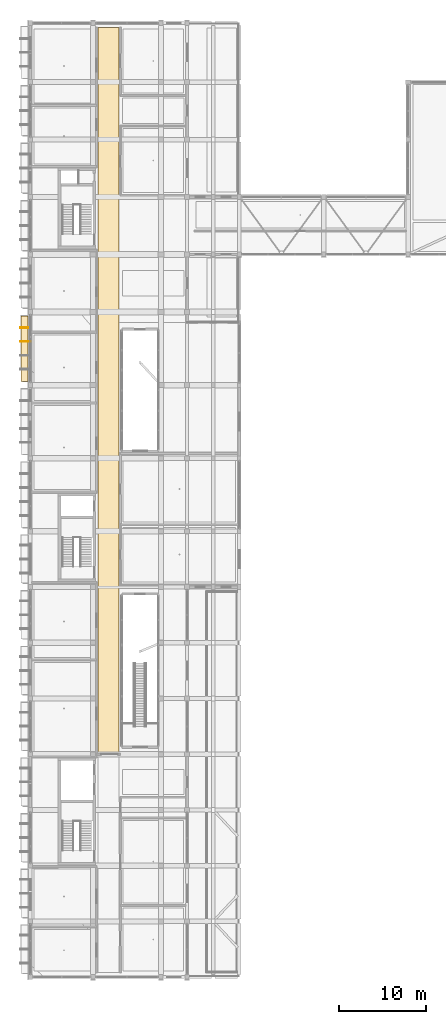
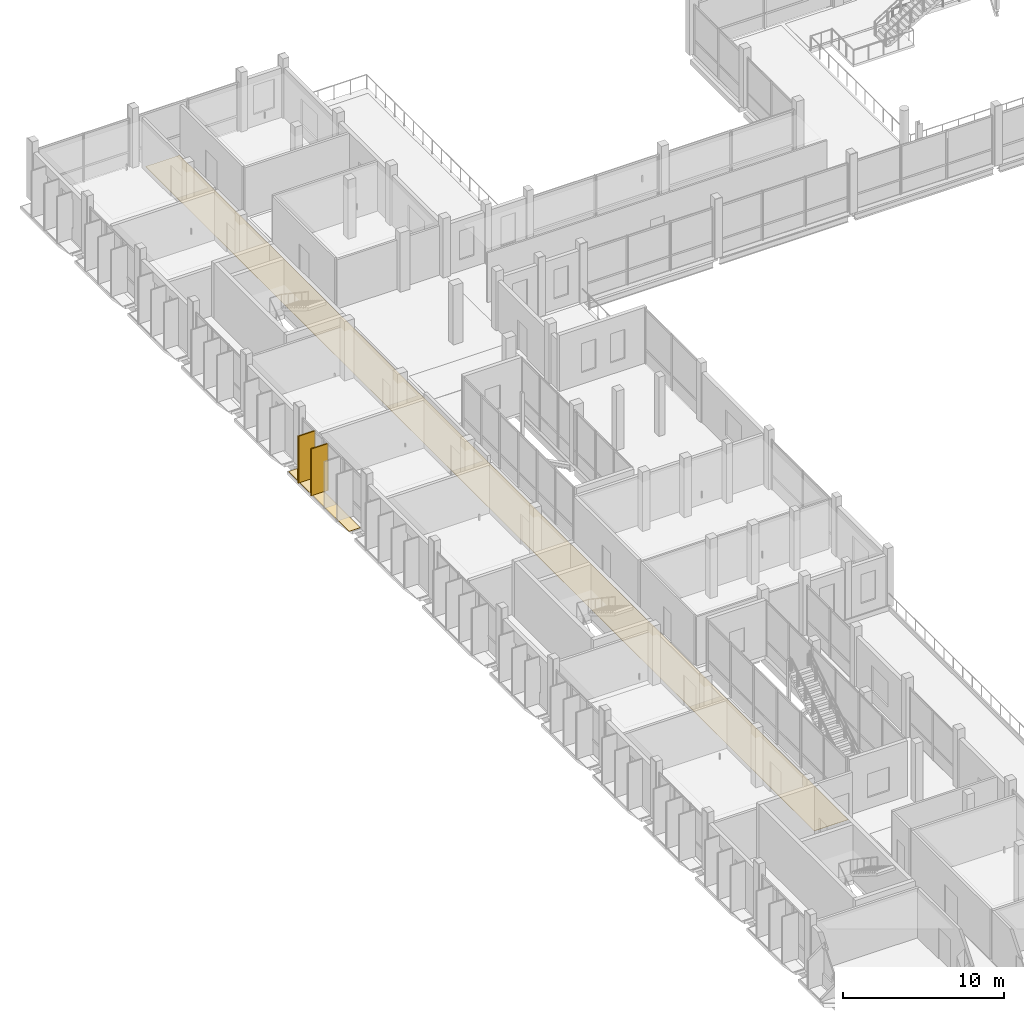
# One storey, part 84 of 95: 4 coverings, 2 shading devices.
"""IFC4 building model written with IfcOpenShell, lengths in metres."""

from ifc_helpers import new_model, si_unit, derived_unit, direction, frame, origin, origin_2d, place, context, subcontext, project, spatial, polyline, rectangle, outline, extrude, material, layer, layer_set, type_object, element, save


model = new_model("IFC4")

# Units and contexts
model_context = context("Model", 3, precision=1e-05, world=origin(), true_north=direction((0.0, 1.0)))
body_context = subcontext(model_context, "Body", "Model", "MODEL_VIEW")
ifc_project = project(units=[si_unit("LENGTHUNIT", "METRE"), si_unit("AREAUNIT", "SQUARE_METRE"), si_unit("VOLUMEUNIT", "CUBIC_METRE"), si_unit("PLANEANGLEUNIT", "RADIAN"), si_unit("MASSUNIT", "GRAM", prefix="KILO"), derived_unit("THERMALTRANSMITTANCEUNIT", [(si_unit("POWERUNIT", "WATT"), 1), (si_unit("LENGTHUNIT", "METRE"), -2), (si_unit("THERMODYNAMICTEMPERATUREUNIT", "KELVIN"), -1)])], contexts=[model_context])

# Site, building, storey
site_placement = place(None, origin())
site = spatial("IfcSite", under=ifc_project, at=site_placement, CompositionType="ELEMENT")
building_placement = place(site_placement, origin())
building = spatial("IfcBuilding", under=site, at=building_placement, Name="Braskholm Square Health Centre", CompositionType="ELEMENT")
storey_placement = place(building_placement, frame((0.0, 0.0, 4.800048828125)))
storey = spatial("IfcBuildingStorey", under=building, at=storey_placement, Name="L02", CompositionType="ELEMENT", Elevation=4.800048828125)

# Shading devices
ifc_material_1 = material(Name="Thermally modified western red cedar with bronze trim", Category="wood")
shading_device_type = type_object("IfcShadingDeviceType", Name="CedarBronzeShadingFin1250", PredefinedType="USERDEFINED", material=ifc_material_1)
for number, where, z_axis, x_axis, name in (
    (1, (3.635009765625, 77.199951171875, 0.0), (0.0, 0.0, 1.0), (1.0, 0.0, 0.0), "Warm cedar-bronze vertical shading slat 0035"),
    (2, (3.635009765625, 78.800048828125, 0.0), (0.0, 0.0, 1.0), (1.0, 0.0, 0.0), "Warm cedar-bronze vertical shading slat 0036"),
):
    element("IfcShadingDevice", number, at=place(storey_placement, frame(where, z_axis=z_axis, x_axis=x_axis)), inside=storey, type_object=shading_device_type, Name=name, ObjectType="FIN", PredefinedType="USERDEFINED", context=body_context, shape_type="SweptSolid", body=[
        extrude(rectangle(XDim=1.25, YDim=0.0849609375, at=origin_2d()), origin(), (0.0, 0.0, 1.0), 3.570068359375),
    ])

# Coverings
ifc_layer_1 = layer(ifc_material_1, 0.0849609375)
ifc_layer_set_1 = layer_set([ifc_layer_1], Name="Thermally modified western red cedar with bronze trim")
covering_type_1 = type_object("IfcCoveringType", Name="CedarBronzeSlatCladding", PredefinedType="CLADDING", material=ifc_layer_set_1)
for number, where, z_axis, x_axis, name in (
    (3, (3.6298828125, 77.199951171875, 0.0), (0.0, 0.0, 1.0), (1.0, 0.0, 0.0), "Cedar-bronze shading slat trim 0440"),
    (4, (3.6298828125, 78.800048828125, 0.0), (0.0, 0.0, 1.0), (1.0, 0.0, 0.0), "Cedar-bronze shading slat trim 0441"),
):
    element("IfcCovering", number, at=place(storey_placement, frame(where, z_axis=z_axis, x_axis=x_axis)), inside=storey, type_object=covering_type_1, Name=name, PredefinedType="CLADDING", context=body_context, shape_type="SweptSolid", body=[
        extrude(rectangle(XDim=1.179931640625, YDim=0.094970703125, at=origin_2d()), origin(), (0.0, 0.0, 1.0), 3.570068359375),
    ])
ifc_material_2 = material(Name="Intensive botanical sedum and native prairie garden bed")
ifc_layer_2 = layer(ifc_material_2, 0.02490234375)
ifc_layer_set_2 = layer_set([ifc_layer_2], Name="Intensive botanical sedum and native prairie garden bed")
covering_type_2 = type_object("IfcCoveringType", Name="PlantedTerraceGardenBed", PredefinedType="ROOFING", material=ifc_layer_set_2)
covering_1_placement = place(storey_placement, origin())
element("IfcCovering", 5, at=covering_1_placement, inside=storey, type_object=covering_type_2, Name="West floor planter ledge sedum strip 0442", PredefinedType="ROOFING", context=body_context, shape_type="SweptSolid", body=[
    extrude(outline(polyline([(3.1201171875, 72.639892578125), (3.949951171875, 72.639892578125), (3.949951171875, 80.159912109375), (3.1201171875, 80.159912109375), (3.1201171875, 72.639892578125)])), origin(), (0.0, 0.0, 1.0), 0.02490234375),
])
ifc_material_3 = material(Name="Polished geometric terrazzo flooring", Category="masonry")
ifc_layer_3 = layer(ifc_material_3, 0.02001953125)
ifc_layer_set_3 = layer_set([ifc_layer_3], Name="Polished geometric terrazzo flooring")
covering_type_3 = type_object("IfcCoveringType", Name="PolishedTerrazzoFloorFinish", PredefinedType="FLOORING", material=ifc_layer_set_3)
covering_2_placement = place(storey_placement, origin())
element("IfcCovering", 6, at=covering_2_placement, inside=storey, type_object=covering_type_3, Name="Polished terrazzo floor L02-046", PredefinedType="FLOORING", context=body_context, shape_type="SweptSolid", body=[
    extrude(outline(polyline([(11.949951171875, 30.050048828125), (14.39990234375, 30.050048828125), (14.39990234375, 113.25), (11.949951171875, 113.25), (11.949951171875, 30.050048828125)])), origin(), (0.0, 0.0, 1.0), 0.02001953125),
])

save(model, "model.ifc")
